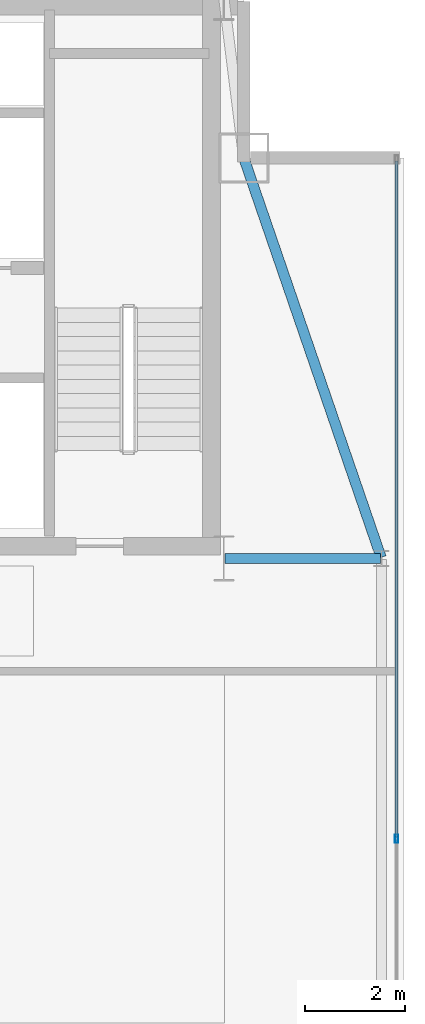
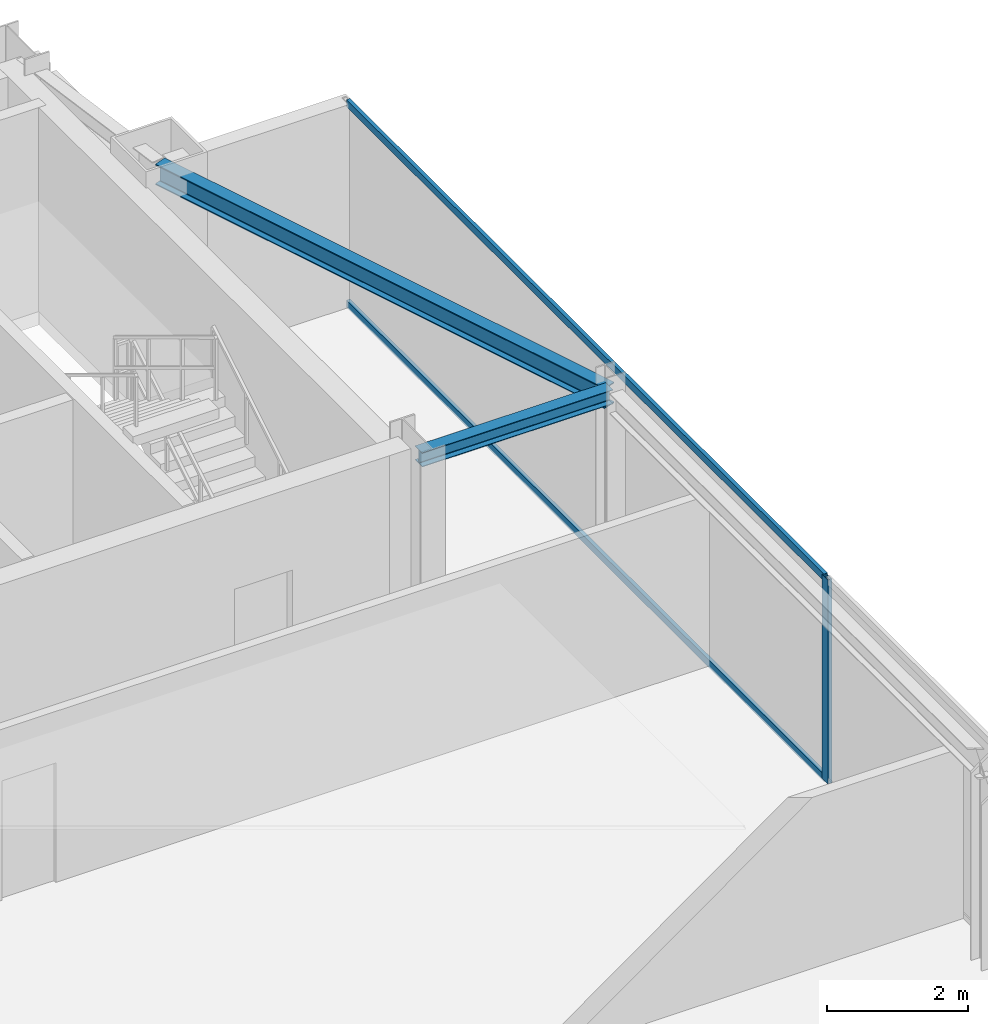
# One storey, part 14 of 21: 3 members, 2 beams, 1 element without a shape of its own.
"""IFC4 building model written with IfcOpenShell, lengths in metres."""

from ifc_helpers import new_model, si_unit, direction, frame, origin, origin_2d, place, context, subcontext, project, spatial, hollow_rectangle, i_section, extrude, source, transform, mapped, material, layer, layer_set, material_profile, profile_set, type_object, type_shapes, element, aggregate, save


model = new_model("IFC4")

# Units and contexts
model_context = context("Model", 3, precision=1e-05, world=origin(), true_north=direction((0.0, 1.0)))
body_context = subcontext(model_context, "Body", "Model", "MODEL_VIEW")
ifc_project = project(units=[si_unit("LENGTHUNIT", "METRE"), si_unit("AREAUNIT", "SQUARE_METRE"), si_unit("VOLUMEUNIT", "CUBIC_METRE"), si_unit("PLANEANGLEUNIT", "RADIAN"), si_unit("MASSUNIT", "GRAM", prefix="KILO")], contexts=[model_context])

# Site, building, storey
site_placement = place(None, origin())
site = spatial("IfcSite", under=ifc_project, at=site_placement, CompositionType="ELEMENT")
building_placement = place(site_placement, origin())
building = spatial("IfcBuilding", under=site, at=building_placement, Name="Varnel Quay Broadcast Tower", CompositionType="ELEMENT")
storey_placement = place(building_placement, frame((0.0, 0.0, 296.39990234375)))
storey = spatial("IfcBuildingStorey", under=building, at=storey_placement, Name="L74", CompositionType="ELEMENT", Elevation=296.39990234375)

# Beams
ifc_material_1 = material(Name="Structural Steel CSA G40.21 350W", Category="steel")
ifc_material_profile_1 = material_profile(ifc_material_1, i_section(OverallWidth=0.205078125, OverallDepth=0.35400390625, WebThickness=0.009521484375, FlangeThickness=0.016845703125, FilletRadius=0.012939453125, at=origin_2d()), Name="W360X79")
ifc_profile_set_1 = profile_set([ifc_material_profile_1], Name="Structural Steel CSA G40.21 350W")
beam_type_1 = type_object("IfcBeamType", Name="Beam_W360X79", PredefinedType="SPANDREL", material=ifc_profile_set_1)
shared_shape_1 = source(origin(), body_context, "Body", "SweptSolid", [
    extrude(i_section(OverallWidth=0.205078125, OverallDepth=0.35400390625, WebThickness=0.009521484375, FlangeThickness=0.016845703125, FilletRadius=0.012939453125, at=origin_2d()), origin(), (0.0, 0.0, 1.0), 8.41943359375),
])
type_shapes(beam_type_1, [shared_shape_1])
beam_1_placement = place(storey_placement, frame((55.54345703125, 35.618896484375, 3.343017578125), z_axis=(-0.325087062108, 0.945684092099, 0.0), x_axis=(-0.945684092099, -0.325087062108, 0.0)))
element("IfcBeam", 1, at=beam_1_placement, inside=storey, type_object=beam_type_1, Name="L74 East Spandrel TC-E2-MC-NE", PredefinedType="SPANDREL", context=body_context, shape_type="MappedRepresentation", body=[
    mapped(shared_shape_1, transform((0.0, 0.0, 0.0), x_axis=(1.0, 0.0, 0.0), y_axis=(0.0, 1.0, 0.0), z_axis=(0.0, 0.0, 1.0), scale=1.0)),
])
ifc_material_profile_2 = material_profile(ifc_material_1, i_section(OverallWidth=0.201904296875, OverallDepth=0.2470703125, WebThickness=0.00732421875, FlangeThickness=0.010986328125, FilletRadius=0.010986328125, at=origin_2d()), Name="W250X49")
ifc_profile_set_2 = profile_set([ifc_material_profile_2], Name="Structural Steel CSA G40.21 350W")
beam_type_2 = type_object("IfcBeamType", Name="Beam_W250X49", PredefinedType="JOIST", material=ifc_profile_set_2)
shared_shape_2 = source(origin(), body_context, "Body", "SweptSolid", [
    extrude(i_section(OverallWidth=0.201904296875, OverallDepth=0.2470703125, WebThickness=0.00732421875, FlangeThickness=0.010986328125, FilletRadius=0.010986328125, at=origin_2d()), origin(), (0.0, 0.0, 1.0), 3.110107421875),
])
type_shapes(beam_type_2, [shared_shape_2])
beam_2_placement = place(storey_placement, frame((52.419921875, 35.60009765625, 3.396484375), z_axis=(1.0, 0.0, 0.0), x_axis=(0.0, 1.0, 0.0)))
element("IfcBeam", 2, at=beam_2_placement, inside=storey, type_object=beam_type_2, Name="L74 East Core Tie Joist", PredefinedType="JOIST", context=body_context, shape_type="MappedRepresentation", body=[
    mapped(shared_shape_2, transform((0.0, 0.0, 0.0), x_axis=(1.0, 0.0, 0.0), y_axis=(0.0, 1.0, 0.0), z_axis=(0.0, 0.0, 1.0), scale=1.0)),
])

# Curtain wall, members
ifc_material_2 = material(Name="Anodised Bronze Aluminium 6063-T6", Category="aluminium")
ifc_layer = layer(ifc_material_2, 0.18994140625, Name="Anodised Bronze Aluminium 6063-T6")
ifc_layer_set = layer_set([ifc_layer], Name="Anodised Bronze Aluminium 6063-T6")
curtain_wall_type = type_object("IfcCurtainWallType", Name="CW_UpperTower", PredefinedType="NOTDEFINED", material=ifc_layer_set)
curtain_wall_placement = place(storey_placement, origin())
curtain_wall = element("IfcCurtainWall", 3, at=curtain_wall_placement, inside=storey, type_object=curtain_wall_type, Name="L74 East Unitised Curtain Wall", PredefinedType="NOTDEFINED")
ifc_material_profile_3 = material_profile(ifc_material_2, hollow_rectangle(XDim=0.06494140625, YDim=0.1650390625, WallThickness=0.00341796875, at=origin_2d()), Name="ALU65X165X3.5")
ifc_profile_set_3 = profile_set([ifc_material_profile_3], Name="Anodised Bronze Aluminium 6063-T6")
member_type_1 = type_object("IfcMemberType", Name="Mull_CWS-03", PredefinedType="MULLION", material=ifc_profile_set_3)
shared_shape_3 = source(origin(), body_context, "Body", "SweptSolid", [
    extrude(hollow_rectangle(XDim=0.06494140625, YDim=0.1650390625, WallThickness=0.00341796875, at=origin_2d()), origin(), (0.0, 0.0, 1.0), 3.52001953125),
])
type_shapes(member_type_1, [shared_shape_3])
member_1_placement = place(storey_placement, frame((55.85009765625, 30.0, 0.0), z_axis=(0.0, 0.0, 1.0), x_axis=(-1.0, 0.0, 0.0)))
member_1 = element("IfcMember", 4, at=member_1_placement, type_object=member_type_1, Name="CWS-03 mullion 2", PredefinedType="MULLION", context=body_context, shape_type="MappedRepresentation", body=[
    mapped(shared_shape_3, transform((0.0, 0.0, 0.0), x_axis=(1.0, 0.0, 0.0), y_axis=(0.0, 1.0, 0.0), z_axis=(0.0, 0.0, 1.0), scale=1.0)),
])
ifc_material_profile_4 = material_profile(ifc_material_2, hollow_rectangle(XDim=0.06005859375, YDim=0.125, WallThickness=0.0029296875, at=origin_2d()), Name="ALU60X125X3")
ifc_profile_set_4 = profile_set([ifc_material_profile_4], Name="Anodised Bronze Aluminium 6063-T6")
member_type_2 = type_object("IfcMemberType", Name="Tran_CWS-03", PredefinedType="USERDEFINED", material=ifc_profile_set_4)
shared_shape_4 = source(origin(), body_context, "Body", "SweptSolid", [
    extrude(hollow_rectangle(XDim=0.06005859375, YDim=0.125, WallThickness=0.0029296875, at=origin_2d()), origin(), (0.0, 0.0, 1.0), 13.50244140625),
])
type_shapes(member_type_2, [shared_shape_4])
member_2_placement = place(storey_placement, frame((55.85009765625, 30.032470703125, 0.030029296875), z_axis=(0.0, 1.0, 0.0), x_axis=(-1.0, 0.0, 0.0)))
member_2 = element("IfcMember", 5, at=member_2_placement, type_object=member_type_2, Name="CWS-03 transom 2.1", ObjectType="TRANSOM", PredefinedType="USERDEFINED", context=body_context, shape_type="MappedRepresentation", body=[
    mapped(shared_shape_4, transform((0.0, 0.0, 0.0), x_axis=(1.0, 0.0, 0.0), y_axis=(0.0, 1.0, 0.0), z_axis=(0.0, 0.0, 1.0), scale=1.0)),
])
member_3_placement = place(storey_placement, frame((55.85009765625, 30.032470703125, 3.489990234375), z_axis=(0.0, 1.0, 0.0), x_axis=(-1.0, 0.0, 0.0)))
member_3 = element("IfcMember", 6, at=member_3_placement, type_object=member_type_2, Name="CWS-03 transom 2.2", ObjectType="TRANSOM", PredefinedType="USERDEFINED", context=body_context, shape_type="MappedRepresentation", body=[
    mapped(shared_shape_4, transform((0.0, 0.0, 0.0), x_axis=(1.0, 0.0, 0.0), y_axis=(0.0, 1.0, 0.0), z_axis=(0.0, 0.0, 1.0), scale=1.0)),
])
aggregate(curtain_wall, [member_1, member_2, member_3])

save(model, "model.ifc")
